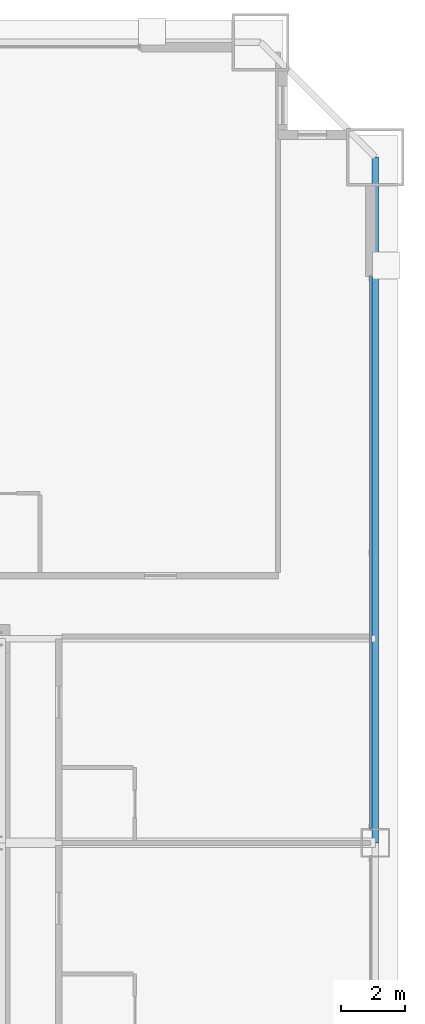
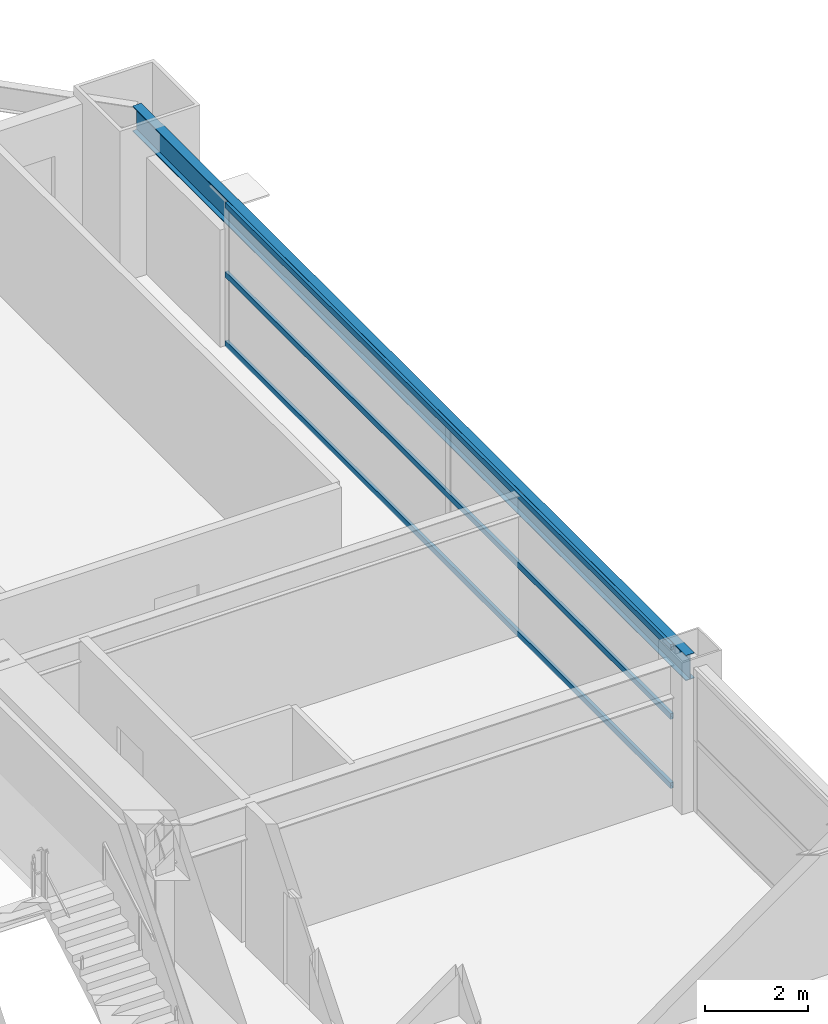
# One storey, part 33 of 43: 3 members, 1 beam, 1 element without a shape of its own.
"""IFC4 building model written with IfcOpenShell, lengths in metres."""

from ifc_helpers import new_model, si_unit, direction, frame, origin, origin_2d, place, context, subcontext, project, spatial, hollow_rectangle, i_section, extrude, source, transform, mapped, material, layer, layer_set, material_profile, profile_set, type_object, element, aggregate, save


model = new_model("IFC4")

# Units and contexts
model_context = context("Model", 3, precision=1e-05, world=origin(), true_north=direction((0.0, 1.0)))
body_context = subcontext(model_context, "Body", "Model", "MODEL_VIEW")
ifc_project = project(units=[si_unit("LENGTHUNIT", "METRE"), si_unit("AREAUNIT", "SQUARE_METRE"), si_unit("VOLUMEUNIT", "CUBIC_METRE"), si_unit("PLANEANGLEUNIT", "RADIAN"), si_unit("MASSUNIT", "GRAM", prefix="KILO"), si_unit("THERMODYNAMICTEMPERATUREUNIT", "KELVIN"), si_unit("POWERUNIT", "WATT")], contexts=[model_context])

# Site, building, storey
site_placement = place(None, origin())
site = spatial("IfcSite", under=ifc_project, at=site_placement, CompositionType="ELEMENT")
building_placement = place(site_placement, origin())
building = spatial("IfcBuilding", under=site, at=building_placement, Name="Yuzanri Waterfront Tower", CompositionType="ELEMENT")
storey_placement = place(building_placement, frame((0.0, 0.0, 78.39990234375)))
storey = spatial("IfcBuildingStorey", under=building, at=storey_placement, Name="L20", CompositionType="ELEMENT", Elevation=78.39990234375)

# Beam
ifc_material_1 = material(Name="Steel Q355B", Category="steel")
ifc_material_profile_1 = material_profile(ifc_material_1, i_section(OverallWidth=0.199951171875, OverallDepth=0.60009765625, WebThickness=0.010986328125, FlangeThickness=0.01708984375, at=origin_2d()), Name="HN 600x200x11x17")
ifc_profile_set_1 = profile_set([ifc_material_profile_1], Name="Steel Q355B")
beam_type = type_object("IfcBeamType", Name="Perimeter Spandrel Q355B HN 600x200", PredefinedType="SPANDREL", material=ifc_profile_set_1)
shared_shape_1 = source(origin(), body_context, "Body", "SweptSolid", [
    extrude(i_section(OverallWidth=0.199951171875, OverallDepth=0.60009765625, WebThickness=0.010986328125, FlangeThickness=0.01708984375, at=origin_2d()), origin(), (0.0, 0.0, 1.0), 21.5),
])
beam_placement = place(storey_placement, frame((62.10009765625, 25.800048828125, 3.080078125), z_axis=(0.0, 1.0, 0.0), x_axis=(-1.0, 0.0, 0.0)))
element("IfcBeam", 1, at=beam_placement, inside=storey, type_object=beam_type, Name="L20 Perimeter Spandrel E2-E3", PredefinedType="SPANDREL", context=body_context, shape_type="MappedRepresentation", body=[
    mapped(shared_shape_1, transform((0.0, 0.0, 0.0), scale=1.0)),
])

# Curtain wall, members
ifc_material_2 = material(Name="Anodized Architectural Bronze", Category="metal")
ifc_layer = layer(ifc_material_2, 0.159912109375)
ifc_layer_set = layer_set([ifc_layer], Name="Anodized Architectural Bronze")
curtain_wall_type = type_object("IfcCurtainWallType", Name="Anodized Bronze Hotel Lower-Tier Recessed Unitized Curtain Wall 8100", PredefinedType="NOTDEFINED", material=ifc_layer_set)
curtain_wall_placement = place(storey_placement, origin())
curtain_wall = element("IfcCurtainWall", 2, at=curtain_wall_placement, inside=storey, type_object=curtain_wall_type, Name="L20 Curtain Wall CW-L20-ER", PredefinedType="NOTDEFINED")
ifc_material_3 = material(Name="Anodized Architectural Bronze", Category="metal")
ifc_material_profile_2 = material_profile(ifc_material_3, hollow_rectangle(XDim=0.070068359375, YDim=0.135009765625, WallThickness=0.00341796875, at=origin_2d()), Name="CWT 70x135")
ifc_profile_set_2 = profile_set([ifc_material_profile_2], Name="Anodized Architectural Bronze")
member_type = type_object("IfcMemberType", Name="Anodized Bronze Standard Curtain-Wall Transom 70x135", PredefinedType="USERDEFINED", material=ifc_profile_set_2)
shared_shape_2 = source(origin(), body_context, "Body", "SweptSolid", [
    extrude(hollow_rectangle(XDim=0.070068359375, YDim=0.135009765625, WallThickness=0.00341796875, at=origin_2d()), origin(), (0.0, 0.0, 1.0), 17.300048828125),
])
member_1_placement = place(storey_placement, frame((61.949951171875, 26.25, 0.050048828125), z_axis=(0.0, 1.0, 0.0), x_axis=(-1.0, 0.0, 0.0)))
member_1 = element("IfcMember", 3, at=member_1_placement, type_object=member_type, Name="CW-L20-ER Transom 1", ObjectType="TRANSOM", PredefinedType="USERDEFINED", context=body_context, shape_type="MappedRepresentation", body=[
    mapped(shared_shape_2, transform((0.0, 0.0, 0.0), scale=1.0)),
])
member_2_placement = place(storey_placement, frame((61.949951171875, 26.25, 1.690185546875), z_axis=(0.0, 1.0, 0.0), x_axis=(-1.0, 0.0, 0.0)))
member_2 = element("IfcMember", 4, at=member_2_placement, type_object=member_type, Name="CW-L20-ER Transom 2", ObjectType="TRANSOM", PredefinedType="USERDEFINED", context=body_context, shape_type="MappedRepresentation", body=[
    mapped(shared_shape_2, transform((0.0, 0.0, 0.0), scale=1.0)),
])
member_3_placement = place(storey_placement, frame((61.949951171875, 26.25, 3.330078125), z_axis=(0.0, 1.0, 0.0), x_axis=(-1.0, 0.0, 0.0)))
member_3 = element("IfcMember", 5, at=member_3_placement, type_object=member_type, Name="CW-L20-ER Transom 3", ObjectType="TRANSOM", PredefinedType="USERDEFINED", context=body_context, shape_type="MappedRepresentation", body=[
    mapped(shared_shape_2, transform((0.0, 0.0, 0.0), scale=1.0)),
])
aggregate(curtain_wall, [member_1, member_2, member_3])

save(model, "model.ifc")
